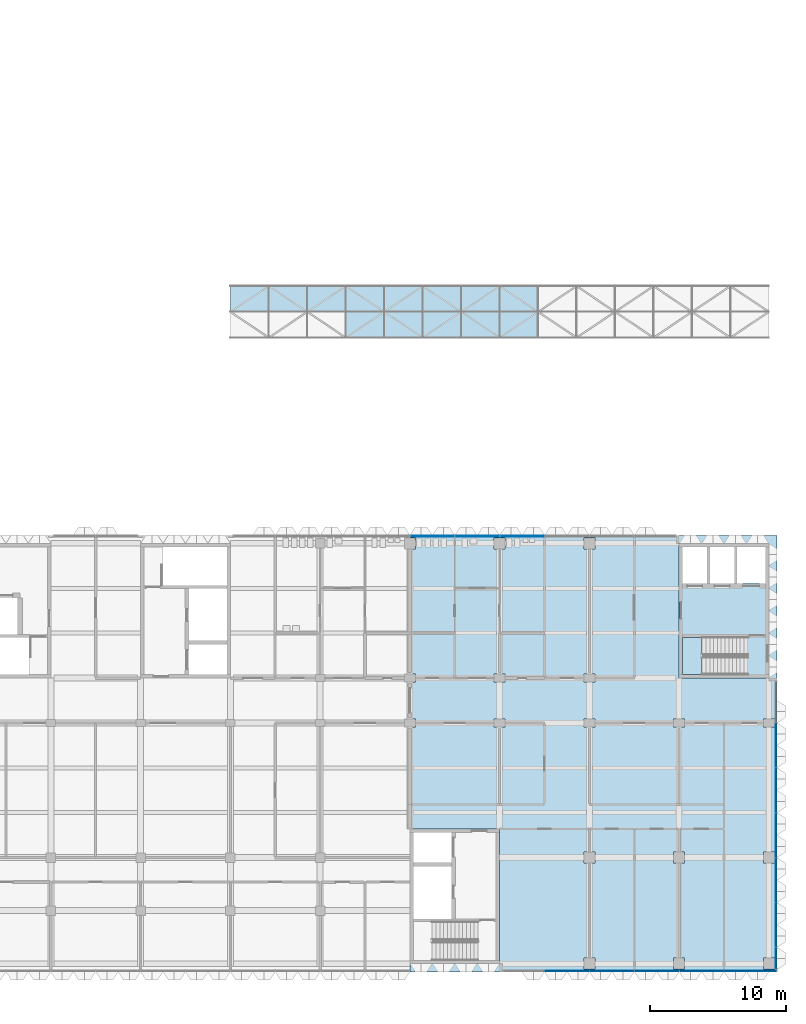
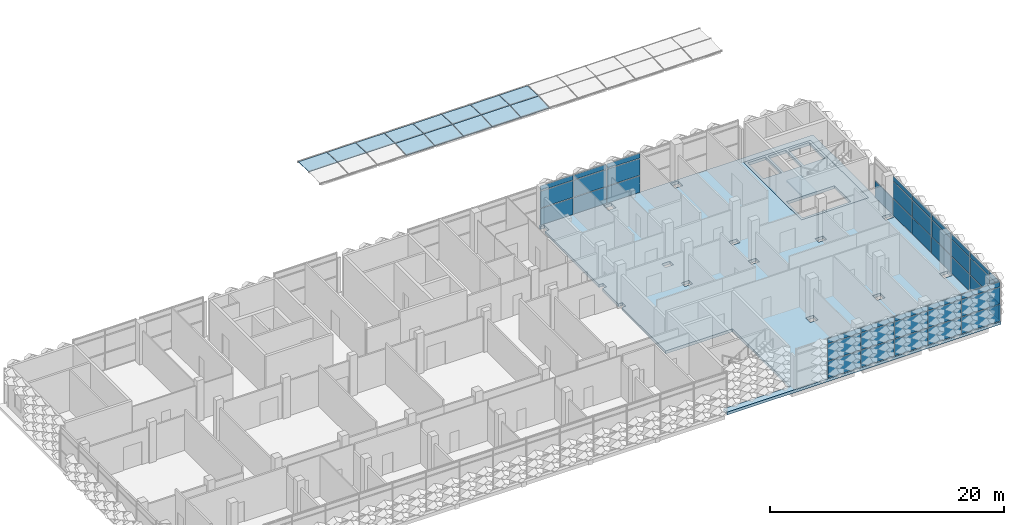
# One storey, part 16 of 61: 56 plates, 3 slabs, 4 elements without a shape of their own.
"""IFC4 building model written with IfcOpenShell, lengths in metres."""

from ifc_helpers import new_model, si_unit, direction, frame, origin, origin_2d, place, context, subcontext, project, spatial, polyline, rectangle, outline, extrude, material, layer, layer_set, type_object, element, aggregate, save


model = new_model("IFC4")

# Units and contexts
model_context = context("Model", 3, precision=1e-05, world=origin(), true_north=direction((0.0, 1.0)))
body_context = subcontext(model_context, "Body", "Model", "MODEL_VIEW")
ifc_project = project(units=[si_unit("LENGTHUNIT", "METRE"), si_unit("AREAUNIT", "SQUARE_METRE"), si_unit("VOLUMEUNIT", "CUBIC_METRE"), si_unit("PLANEANGLEUNIT", "RADIAN"), si_unit("MASSUNIT", "GRAM", prefix="KILO")], contexts=[model_context])

# Site, building, storey
site_placement = place(None, origin())
site = spatial("IfcSite", under=ifc_project, at=site_placement, CompositionType="ELEMENT")
building_placement = place(site_placement, origin())
building = spatial("IfcBuilding", under=site, at=building_placement, Name="Lantern Court Research Institute", CompositionType="ELEMENT")
storey_placement = place(building_placement, frame((0.0, 0.0, 23.39990234375)))
storey = spatial("IfcBuildingStorey", under=building, at=storey_placement, Name="L05", CompositionType="ELEMENT", Elevation=23.39990234375)

# Plates
ifc_material_1 = material(Name="Laminated low-emissivity glass", Category="glass")
ifc_layer_1 = layer(ifc_material_1, 0.035888671875)
ifc_layer_set_1 = layer_set([ifc_layer_1], Name="Laminated low-emissivity glass")
plate_type_1 = type_object("IfcPlateType", Name="Gridshell roof glazing panel 36", PredefinedType="SHEET", material=ifc_layer_set_1)
plate_1_placement = place(storey_placement, frame((42.41845703125, 40.13671875, 0.235595703125), z_axis=(0.0, 0.050319241088, 0.998733184578), x_axis=(-1.0, 0.0, 0.0)))
element("IfcPlate", 1, at=plate_1_placement, inside=storey, type_object=plate_type_1, Name="Roof glazing panel", PredefinedType="SHEET", context=body_context, shape_type="SweptSolid", body=[
    extrude(outline(polyline([(0.0, 0.0), (2.808349609375, 0.0), (2.808349609375, -1.8825117480404108), (0.0, -1.8825117480404108), (0.0, 0.0)])), origin(), (0.0, 0.0, -1.0), 0.035888671875),
])
for number, where, z_axis, x_axis, name in (
    (2, (45.2470703125, 40.13671875, 0.235595703125), (0.0, 0.050319241088, 0.998733184578), (-1.0, 0.0, 0.0), "Roof glazing panel"),
    (3, (48.07568359375, 40.13671875, 0.235595703125), (0.0, 0.050319241088, 0.998733184578), (-1.0, 0.0, 0.0), "Roof glazing panel"),
    (4, (50.904296875, 38.233154296875, 0.140869140625), (0.0, -0.050319241088, 0.998733184578), (-1.0, 0.0, 0.0), "Roof glazing panel"),
    (5, (50.904296875, 40.13671875, 0.235595703125), (0.0, 0.050319241088, 0.998733184578), (-1.0, 0.0, 0.0), "Roof glazing panel"),
    (6, (53.73291015625, 38.233154296875, 0.140869140625), (0.0, -0.050319241088, 0.998733184578), (-1.0, 0.0, 0.0), "Roof glazing panel"),
    (7, (53.73291015625, 40.13671875, 0.235595703125), (0.0, 0.050319241088, 0.998733184578), (-1.0, 0.0, 0.0), "Roof glazing panel"),
    (8, (56.5615234375, 38.233154296875, 0.140869140625), (0.0, -0.050319241088, 0.998733184578), (-1.0, 0.0, 0.0), "Roof glazing panel"),
    (9, (56.5615234375, 40.13671875, 0.235595703125), (0.0, 0.050319241088, 0.998733184578), (-1.0, 0.0, 0.0), "Roof glazing panel"),
):
    element("IfcPlate", number, at=place(storey_placement, frame(where, z_axis=z_axis, x_axis=x_axis)), inside=storey, type_object=plate_type_1, Name=name, PredefinedType="SHEET", context=body_context, shape_type="SweptSolid", body=[
        extrude(outline(polyline([(0.0, 0.0), (2.80859375, 0.0), (2.80859375, -1.8825117480404105), (0.0, -1.8825117480404105), (0.0, 0.0)])), origin(), (0.0, 0.0, -1.0), 0.035888671875),
    ])
for number, where, z_axis, x_axis, name in (
    (10, (59.389892578125, 38.233154296875, 0.140869140625), (0.0, -0.050319241088, 0.998733184578), (-1.0, 0.0, 0.0), "Roof glazing panel"),
    (11, (59.389892578125, 40.13671875, 0.235595703125), (0.0, 0.050319241088, 0.998733184578), (-1.0, 0.0, 0.0), "Roof glazing panel"),
):
    element("IfcPlate", number, at=place(storey_placement, frame(where, z_axis=z_axis, x_axis=x_axis)), inside=storey, type_object=plate_type_1, Name=name, PredefinedType="SHEET", context=body_context, shape_type="SweptSolid", body=[
        extrude(outline(polyline([(0.0, 0.0), (2.808349609375, 0.0), (2.808349609375, -1.8825117480404108), (0.0, -1.8825117480404108), (0.0, 0.0)])), origin(), (0.0, 0.0, -1.0), 0.035888671875),
    ])
for number, where, z_axis, x_axis, name in (
    (12, (62.218505859375, 38.233154296875, 0.140869140625), (0.0, -0.050319241088, 0.998733184578), (-1.0, 0.0, 0.0), "Roof glazing panel"),
    (13, (62.218505859375, 40.13671875, 0.235595703125), (0.0, 0.050319241088, 0.998733184578), (-1.0, 0.0, 0.0), "Roof glazing panel"),
):
    element("IfcPlate", number, at=place(storey_placement, frame(where, z_axis=z_axis, x_axis=x_axis)), inside=storey, type_object=plate_type_1, Name=name, PredefinedType="SHEET", context=body_context, shape_type="SweptSolid", body=[
        extrude(outline(polyline([(0.0, 0.0), (2.80859375, 0.0), (2.80859375, -1.8825117480404105), (0.0, -1.8825117480404105), (0.0, 0.0)])), origin(), (0.0, 0.0, -1.0), 0.035888671875),
    ])

# Curtain wall, plates
ifc_material_2 = material(Name="Aluminium alloy 6063-T6", Category="aluminium")
curtain_wall_type_1 = type_object("IfcCurtainWallType", Name="Curtain wall 20200 x 4200 x 150 aluminium frame", PredefinedType="NOTDEFINED", material=ifc_material_2)
curtain_wall_1_placement = place(storey_placement, origin())
curtain_wall_1 = element("IfcCurtainWall", 14, at=curtain_wall_1_placement, inside=storey, type_object=curtain_wall_type_1, Name="Curtain wall CW076", PredefinedType="NOTDEFINED")
ifc_material_3 = material(Name="Insulated aluminium spandrel panel", Category="aluminium")
ifc_layer_2 = layer(ifc_material_3, 0.10009765625)
ifc_layer_set_2 = layer_set([ifc_layer_2], Name="Insulated aluminium spandrel panel")
plate_type_2 = type_object("IfcPlateType", Name="Insulated spandrel panel 100 mm for south sun", PredefinedType="CURTAIN_PANEL", material=ifc_layer_set_2)
plate_2_placement = place(storey_placement, frame((64.35009765625, -8.324951171875, 0.06005859375), z_axis=(0.0, 0.0, 1.0), x_axis=(-1.0, 0.0, 0.0)))
plate_2 = element("IfcPlate", 15, at=plate_2_placement, type_object=plate_type_2, Name="CW076 spandrel panel 2.1", PredefinedType="CURTAIN_PANEL", context=body_context, shape_type="SweptSolid", body=[
    extrude(rectangle(XDim=3.239990234375, YDim=0.10009765625, at=origin_2d()), origin(), (0.0, 0.0, 1.0), 1.7099609375),
])
plate_3_placement = place(storey_placement, frame((67.64990234375, -8.324951171875, 0.06005859375), z_axis=(0.0, 0.0, 1.0), x_axis=(-1.0, 0.0, 0.0)))
plate_3 = element("IfcPlate", 16, at=plate_3_placement, type_object=plate_type_2, Name="CW076 spandrel panel 3.1", PredefinedType="CURTAIN_PANEL", context=body_context, shape_type="SweptSolid", body=[
    extrude(rectangle(XDim=3.239990234375, YDim=0.10009765625, at=origin_2d()), origin(), (0.0, 0.0, 1.0), 1.7099609375),
])
plate_4_placement = place(storey_placement, frame((70.949951171875, -8.324951171875, 0.06005859375), z_axis=(0.0, 0.0, 1.0), x_axis=(-1.0, 0.0, 0.0)))
plate_4 = element("IfcPlate", 17, at=plate_4_placement, type_object=plate_type_2, Name="CW076 spandrel panel 4.1", PredefinedType="CURTAIN_PANEL", context=body_context, shape_type="SweptSolid", body=[
    extrude(rectangle(XDim=3.239990234375, YDim=0.10009765625, at=origin_2d()), origin(), (0.0, 0.0, 1.0), 1.7099609375),
])
plate_5_placement = place(storey_placement, frame((74.25, -8.324951171875, 0.06005859375), z_axis=(0.0, 0.0, 1.0), x_axis=(-1.0, 0.0, 0.0)))
plate_5 = element("IfcPlate", 18, at=plate_5_placement, type_object=plate_type_2, Name="CW076 spandrel panel 5.1", PredefinedType="CURTAIN_PANEL", context=body_context, shape_type="SweptSolid", body=[
    extrude(rectangle(XDim=3.239990234375, YDim=0.10009765625, at=origin_2d()), origin(), (0.0, 0.0, 1.0), 1.7099609375),
])
plate_6_placement = place(storey_placement, frame((77.8349609375, -8.324951171875, 0.06005859375), z_axis=(0.0, 0.0, 1.0), x_axis=(-1.0, 0.0, 0.0)))
plate_6 = element("IfcPlate", 19, at=plate_6_placement, type_object=plate_type_2, Name="CW076 spandrel panel 6.1", PredefinedType="CURTAIN_PANEL", context=body_context, shape_type="SweptSolid", body=[
    extrude(rectangle(XDim=3.81005859375, YDim=0.10009765625, at=origin_2d()), origin(), (0.0, 0.0, 1.0), 1.7099609375),
])

ifc_material_4 = material(Name="Aluminium alloy 6063-T6", Category="aluminium")
curtain_wall_type_2 = type_object("IfcCurtainWallType", Name="Curtain wall 19600 x 4200 x 150 aluminium frame", PredefinedType="NOTDEFINED", material=ifc_material_4)
curtain_wall_2_placement = place(storey_placement, origin())
curtain_wall_2 = element("IfcCurtainWall", 20, at=curtain_wall_2_placement, inside=storey, type_object=curtain_wall_type_2, Name="Curtain wall CW075", PredefinedType="NOTDEFINED")
ifc_material_5 = material(Name="Insulated aluminium spandrel panel", Category="aluminium")
ifc_layer_3 = layer(ifc_material_5, 0.06005859375)
ifc_layer_set_3 = layer_set([ifc_layer_3], Name="Insulated aluminium spandrel panel")
plate_type_3 = type_object("IfcPlateType", Name="Insulated spandrel panel 60 mm", PredefinedType="CURTAIN_PANEL", material=ifc_layer_set_3)
plate_7_placement = place(storey_placement, frame((54.465087890625, 23.625, 0.06005859375), z_axis=(0.0, 0.0, 1.0), x_axis=(1.0, 0.0, 0.0)))
plate_7 = element("IfcPlate", 21, at=plate_7_placement, type_object=plate_type_3, Name="CW075 spandrel panel 1.1", PredefinedType="CURTAIN_PANEL", context=body_context, shape_type="SweptSolid", body=[
    extrude(rectangle(XDim=3.2099609375, YDim=0.06005859375, at=origin_2d()), origin(), (0.0, 0.0, 1.0), 1.7099609375),
])
plate_8_placement = place(storey_placement, frame((57.75, 23.625, 0.06005859375), z_axis=(0.0, 0.0, 1.0), x_axis=(1.0, 0.0, 0.0)))
plate_8 = element("IfcPlate", 22, at=plate_8_placement, type_object=plate_type_3, Name="CW075 spandrel panel 2.1", PredefinedType="CURTAIN_PANEL", context=body_context, shape_type="SweptSolid", body=[
    extrude(rectangle(XDim=3.239990234375, YDim=0.06005859375, at=origin_2d()), origin(), (0.0, 0.0, 1.0), 1.7099609375),
])
plate_9_placement = place(storey_placement, frame((61.050048828125, 23.625, 0.06005859375), z_axis=(0.0, 0.0, 1.0), x_axis=(1.0, 0.0, 0.0)))
plate_9 = element("IfcPlate", 23, at=plate_9_placement, type_object=plate_type_3, Name="CW075 spandrel panel 3.1", PredefinedType="CURTAIN_PANEL", context=body_context, shape_type="SweptSolid", body=[
    extrude(rectangle(XDim=3.239990234375, YDim=0.06005859375, at=origin_2d()), origin(), (0.0, 0.0, 1.0), 1.7099609375),
])

ifc_material_6 = material(Name="Aluminium alloy 6063-T6", Category="aluminium")
curtain_wall_type_3 = type_object("IfcCurtainWallType", Name="Curtain wall 21250 x 4200 x 150 aluminium frame", PredefinedType="NOTDEFINED", material=ifc_material_6)
curtain_wall_3_placement = place(storey_placement, origin())
curtain_wall_3 = element("IfcCurtainWall", 24, at=curtain_wall_3_placement, inside=storey, type_object=curtain_wall_type_3, Name="Curtain wall CW074", PredefinedType="NOTDEFINED")
ifc_material_7 = material(Name="Insulated aluminium spandrel panel", Category="aluminium")
ifc_layer_4 = layer(ifc_material_7, 0.080078125)
ifc_layer_set_4 = layer_set([ifc_layer_4], Name="Insulated aluminium spandrel panel")
plate_type_4 = type_object("IfcPlateType", Name="Insulated spandrel panel 80 mm", PredefinedType="CURTAIN_PANEL", material=ifc_layer_set_4)
plate_10_placement = place(storey_placement, frame((79.72509765625, -7.409912109375, 0.06005859375), z_axis=(0.0, 0.0, 1.0), x_axis=(0.0, -1.0, 0.0)))
plate_10 = element("IfcPlate", 25, at=plate_10_placement, type_object=plate_type_4, Name="CW074 spandrel panel 1.1", PredefinedType="CURTAIN_PANEL", context=body_context, shape_type="SweptSolid", body=[
    extrude(rectangle(XDim=1.56005859375, YDim=0.080078125, at=origin_2d()), origin(), (0.0, 0.0, 1.0), 1.7099609375),
])
plate_11_placement = place(storey_placement, frame((79.72509765625, -4.949951171875, 0.06005859375), z_axis=(0.0, 0.0, 1.0), x_axis=(0.0, -1.0, 0.0)))
plate_11 = element("IfcPlate", 26, at=plate_11_placement, type_object=plate_type_4, Name="CW074 spandrel panel 2.1", PredefinedType="CURTAIN_PANEL", context=body_context, shape_type="SweptSolid", body=[
    extrude(rectangle(XDim=3.239990234375, YDim=0.080078125, at=origin_2d()), origin(), (0.0, 0.0, 1.0), 1.7099609375),
])
plate_12_placement = place(storey_placement, frame((79.72509765625, -1.64990234375, 0.06005859375), z_axis=(0.0, 0.0, 1.0), x_axis=(0.0, -1.0, 0.0)))
plate_12 = element("IfcPlate", 27, at=plate_12_placement, type_object=plate_type_4, Name="CW074 spandrel panel 3.1", PredefinedType="CURTAIN_PANEL", context=body_context, shape_type="SweptSolid", body=[
    extrude(rectangle(XDim=3.239990234375, YDim=0.080078125, at=origin_2d()), origin(), (0.0, 0.0, 1.0), 1.7099609375),
])
plate_13_placement = place(storey_placement, frame((79.72509765625, 1.64990234375, 0.06005859375), z_axis=(0.0, 0.0, 1.0), x_axis=(0.0, -1.0, 0.0)))
plate_13 = element("IfcPlate", 28, at=plate_13_placement, type_object=plate_type_4, Name="CW074 spandrel panel 4.1", PredefinedType="CURTAIN_PANEL", context=body_context, shape_type="SweptSolid", body=[
    extrude(rectangle(XDim=3.239990234375, YDim=0.080078125, at=origin_2d()), origin(), (0.0, 0.0, 1.0), 1.7099609375),
])
plate_14_placement = place(storey_placement, frame((79.72509765625, 4.949951171875, 0.06005859375), z_axis=(0.0, 0.0, 1.0), x_axis=(0.0, -1.0, 0.0)))
plate_14 = element("IfcPlate", 29, at=plate_14_placement, type_object=plate_type_4, Name="CW074 spandrel panel 5.1", PredefinedType="CURTAIN_PANEL", context=body_context, shape_type="SweptSolid", body=[
    extrude(rectangle(XDim=3.239990234375, YDim=0.080078125, at=origin_2d()), origin(), (0.0, 0.0, 1.0), 1.7099609375),
])
plate_15_placement = place(storey_placement, frame((79.72509765625, 8.25, 0.06005859375), z_axis=(0.0, 0.0, 1.0), x_axis=(0.0, -1.0, 0.0)))
plate_15 = element("IfcPlate", 30, at=plate_15_placement, type_object=plate_type_4, Name="CW074 spandrel panel 6.1", PredefinedType="CURTAIN_PANEL", context=body_context, shape_type="SweptSolid", body=[
    extrude(rectangle(XDim=3.239990234375, YDim=0.080078125, at=origin_2d()), origin(), (0.0, 0.0, 1.0), 1.7099609375),
])
plate_16_placement = place(storey_placement, frame((79.72509765625, 11.43505859375, 0.06005859375), z_axis=(0.0, 0.0, 1.0), x_axis=(0.0, -1.0, 0.0)))
plate_16 = element("IfcPlate", 31, at=plate_16_placement, type_object=plate_type_4, Name="CW074 spandrel panel 7.1", PredefinedType="CURTAIN_PANEL", context=body_context, shape_type="SweptSolid", body=[
    extrude(rectangle(XDim=3.010009765625, YDim=0.080078125, at=origin_2d()), origin(), (0.0, 0.0, 1.0), 1.7099609375),
])

# Plate
ifc_material_8 = material(Name="Laminated low-emissivity glass", Category="glass")
ifc_layer_5 = layer(ifc_material_8, 0.028076171875)
ifc_layer_set_5 = layer_set([ifc_layer_5], Name="Laminated low-emissivity glass")
plate_type_5 = type_object("IfcPlateType", Name="Laminated low-emissivity unit 28 mm", PredefinedType="CURTAIN_PANEL", material=ifc_layer_set_5)
plate_17_placement = place(storey_placement, frame((54.465087890625, 23.625, 1.830078125), z_axis=(0.0, 0.0, 1.0), x_axis=(1.0, 0.0, 0.0)))
plate_17 = element("IfcPlate", 32, at=plate_17_placement, type_object=plate_type_5, Name="CW075 glazed panel 1.2", PredefinedType="CURTAIN_PANEL", context=body_context, shape_type="SweptSolid", body=[
    extrude(rectangle(XDim=3.2099609375, YDim=0.028076171875, at=origin_2d()), origin(), (0.0, 0.0, 1.0), 1.739990234375),
])

plate_18_placement = place(storey_placement, frame((54.465087890625, 23.625, 3.6298828125), z_axis=(0.0, 0.0, 1.0), x_axis=(1.0, 0.0, 0.0)))
plate_18 = element("IfcPlate", 33, at=plate_18_placement, type_object=plate_type_5, Name="CW075 glazed panel 1.3", PredefinedType="CURTAIN_PANEL", context=body_context, shape_type="SweptSolid", body=[
    extrude(rectangle(XDim=3.2099609375, YDim=0.028076171875, at=origin_2d()), origin(), (0.0, 0.0, 1.0), 0.510009765625),
])

plate_19_placement = place(storey_placement, frame((57.75, 23.625, 1.830078125), z_axis=(0.0, 0.0, 1.0), x_axis=(1.0, 0.0, 0.0)))
plate_19 = element("IfcPlate", 34, at=plate_19_placement, type_object=plate_type_5, Name="CW075 glazed panel 2.2", PredefinedType="CURTAIN_PANEL", context=body_context, shape_type="SweptSolid", body=[
    extrude(rectangle(XDim=3.239990234375, YDim=0.028076171875, at=origin_2d()), origin(), (0.0, 0.0, 1.0), 1.739990234375),
])

plate_20_placement = place(storey_placement, frame((57.75, 23.625, 3.6298828125), z_axis=(0.0, 0.0, 1.0), x_axis=(1.0, 0.0, 0.0)))
plate_20 = element("IfcPlate", 35, at=plate_20_placement, type_object=plate_type_5, Name="CW075 glazed panel 2.3", PredefinedType="CURTAIN_PANEL", context=body_context, shape_type="SweptSolid", body=[
    extrude(rectangle(XDim=3.239990234375, YDim=0.028076171875, at=origin_2d()), origin(), (0.0, 0.0, 1.0), 0.510009765625),
])

plate_21_placement = place(storey_placement, frame((61.050048828125, 23.625, 1.830078125), z_axis=(0.0, 0.0, 1.0), x_axis=(1.0, 0.0, 0.0)))
plate_21 = element("IfcPlate", 36, at=plate_21_placement, type_object=plate_type_5, Name="CW075 glazed panel 3.2", PredefinedType="CURTAIN_PANEL", context=body_context, shape_type="SweptSolid", body=[
    extrude(rectangle(XDim=3.239990234375, YDim=0.028076171875, at=origin_2d()), origin(), (0.0, 0.0, 1.0), 1.739990234375),
])

plate_22_placement = place(storey_placement, frame((61.050048828125, 23.625, 3.6298828125), z_axis=(0.0, 0.0, 1.0), x_axis=(1.0, 0.0, 0.0)))
plate_22 = element("IfcPlate", 37, at=plate_22_placement, type_object=plate_type_5, Name="CW075 glazed panel 3.3", PredefinedType="CURTAIN_PANEL", context=body_context, shape_type="SweptSolid", body=[
    extrude(rectangle(XDim=3.239990234375, YDim=0.028076171875, at=origin_2d()), origin(), (0.0, 0.0, 1.0), 0.510009765625),
])

aggregate(curtain_wall_2, [plate_7, plate_17, plate_18, plate_8, plate_19, plate_20, plate_9, plate_21, plate_22])

# Slabs
ifc_material_9 = material(Name="Concrete C35/45", Category="concrete")
ifc_layer_6 = layer(ifc_material_9, 0.300048828125)
ifc_layer_set_6 = layer_set([ifc_layer_6], Name="Concrete C35/45")
slab_type_1 = type_object("IfcSlabType", Name="RC core floor slab 300", PredefinedType="FLOOR", material=ifc_layer_set_6)
slab_1_placement = place(storey_placement, frame((0.0, 0.0, -0.2998046875)))
element("IfcSlab", 38, at=slab_1_placement, inside=storey, type_object=slab_type_1, Name="Floor of core TC-E", PredefinedType="FLOOR", context=body_context, shape_type="SweptSolid", body=[
    extrude(outline(polyline([(72.60009765625, 13.199951171875), (79.199951171875, 13.199951171875), (79.199951171875, 23.10009765625), (72.60009765625, 23.10009765625), (72.60009765625, 13.199951171875)]), holes=[polyline([(77.60009765625, 16.199951171875), (72.85009765625, 16.199951171875), (72.85009765625, 13.449951171875), (77.60009765625, 13.449951171875), (77.60009765625, 16.199951171875)]), polyline([(72.85009765625, 20.14990234375), (74.64990234375, 20.14990234375), (74.64990234375, 22.85009765625), (72.85009765625, 22.85009765625), (72.85009765625, 20.14990234375)]), polyline([(74.85009765625, 20.14990234375), (76.64990234375, 20.14990234375), (76.64990234375, 22.85009765625), (74.85009765625, 22.85009765625), (74.85009765625, 20.14990234375)]), polyline([(76.85009765625, 20.14990234375), (78.949951171875, 20.14990234375), (78.949951171875, 22.85009765625), (76.85009765625, 22.85009765625), (76.85009765625, 20.14990234375)])]), origin(), (0.0, 0.0, 1.0), 0.2998046875),
])
ifc_material_10 = material(Name="Concrete C35/45", Category="concrete")
ifc_layer_7 = layer(ifc_material_10, 0.300048828125)
ifc_layer_set_7 = layer_set([ifc_layer_7], Name="Concrete C35/45")
slab_type_2 = type_object("IfcSlabType", Name="RC floor slab 300", PredefinedType="FLOOR", material=ifc_layer_set_7)
slab_2_placement = place(storey_placement, frame((0.0, 0.0, -0.2998046875)))
element("IfcSlab", 39, at=slab_2_placement, inside=storey, type_object=slab_type_2, Name="Floor slab L05 Dry Laboratory and Clean Room Tower", PredefinedType="FLOOR", context=body_context, shape_type="SweptSolid", body=[
    extrude(outline(polyline([(59.39990234375, -7.800048828125), (52.800048828125, -7.800048828125), (52.800048828125, -8.39990234375), (79.800048828125, -8.39990234375), (79.800048828125, -7.800048828125), (79.800048828125, 23.10009765625), (79.800048828125, 23.699951171875), (52.800048828125, 23.699951171875), (52.800048828125, 23.5), (53.199951171875, 23.5), (53.199951171875, 22.699951171875), (52.800048828125, 22.699951171875), (52.800048828125, 13.5), (53.199951171875, 13.5), (53.199951171875, 12.89990234375), (52.800048828125, 12.89990234375), (52.800048828125, 10.199951171875), (53.199951171875, 10.199951171875), (53.199951171875, 9.60009765625), (52.800048828125, 9.60009765625), (52.800048828125, 2.10009765625), (59.39990234375, 2.10009765625), (59.39990234375, -7.800048828125)]), holes=[polyline([(65.60009765625, -7.39990234375), (66.39990234375, -7.39990234375), (66.39990234375, -8.199951171875), (65.60009765625, -8.199951171875), (65.60009765625, -7.39990234375)]), polyline([(59.800048828125, 10.199951171875), (59.800048828125, 9.60009765625), (59.0, 9.60009765625), (59.0, 10.199951171875), (59.800048828125, 10.199951171875)]), polyline([(59.0, 13.5), (59.800048828125, 13.5), (59.800048828125, 12.89990234375), (59.0, 12.89990234375), (59.0, 13.5)]), polyline([(59.800048828125, 23.5), (59.800048828125, 22.699951171875), (59.0, 22.699951171875), (59.0, 23.5), (59.800048828125, 23.5)]), polyline([(72.199951171875, -7.39990234375), (73.0, -7.39990234375), (73.0, -8.199951171875), (72.199951171875, -8.199951171875), (72.199951171875, -7.39990234375)]), polyline([(78.800048828125, -7.39990234375), (79.60009765625, -7.39990234375), (79.60009765625, -8.199951171875), (78.800048828125, -8.199951171875), (78.800048828125, -7.39990234375)]), polyline([(65.60009765625, 0.39990234375), (66.39990234375, 0.39990234375), (66.39990234375, -0.39990234375), (65.60009765625, -0.39990234375), (65.60009765625, 0.39990234375)]), polyline([(73.0, 0.39990234375), (73.0, -0.39990234375), (72.199951171875, -0.39990234375), (72.199951171875, 0.39990234375), (73.0, 0.39990234375)]), polyline([(79.60009765625, 0.39990234375), (79.60009765625, -0.39990234375), (78.800048828125, -0.39990234375), (78.800048828125, 0.39990234375), (79.60009765625, 0.39990234375)]), polyline([(65.60009765625, 10.199951171875), (66.39990234375, 10.199951171875), (66.39990234375, 9.60009765625), (65.60009765625, 9.60009765625), (65.60009765625, 10.199951171875)]), polyline([(73.0, 10.199951171875), (73.0, 9.60009765625), (72.199951171875, 9.60009765625), (72.199951171875, 10.199951171875), (73.0, 10.199951171875)]), polyline([(79.60009765625, 10.199951171875), (79.60009765625, 9.60009765625), (78.800048828125, 9.60009765625), (78.800048828125, 10.199951171875), (79.60009765625, 10.199951171875)]), polyline([(65.60009765625, 13.5), (66.39990234375, 13.5), (66.39990234375, 12.89990234375), (65.60009765625, 12.89990234375), (65.60009765625, 13.5)]), polyline([(79.199951171875, 23.10009765625), (79.199951171875, 13.199951171875), (72.60009765625, 13.199951171875), (72.60009765625, 23.10009765625), (79.199951171875, 23.10009765625)]), polyline([(66.39990234375, 23.5), (66.39990234375, 22.699951171875), (65.60009765625, 22.699951171875), (65.60009765625, 23.5), (66.39990234375, 23.5)])]), origin(), (0.0, 0.0, 1.0), 0.2998046875),
])

# Stair, slab
ifc_material_11 = material(Name="Concrete C40/50", Category="concrete")
stair_type = type_object("IfcStairType", Name="RC half-turn stair 1300 wide, 4500 rise, 6100 shaft", PredefinedType="HALF_TURN_STAIR", material=ifc_material_11)
stair_placement = place(storey_placement, origin())
stair = element("IfcStair", 40, at=stair_placement, inside=storey, type_object=stair_type, Name="L05 stair ST-T2", PredefinedType="HALF_TURN_STAIR")
ifc_material_12 = material(Name="Concrete C40/50", Category="concrete")
ifc_layer_8 = layer(ifc_material_12, 0.199951171875)
ifc_layer_set_8 = layer_set([ifc_layer_8], Name="Concrete C40/50")
slab_type_3 = type_object("IfcSlabType", Name="RC stair landing 200", PredefinedType="LANDING", material=ifc_layer_set_8)
slab_3_placement = place(storey_placement, frame((0.0, 0.0, 2.050048828125)))
slab_3 = element("IfcSlab", 41, at=slab_3_placement, type_object=slab_type_3, Name="ST-T2 landing 1", PredefinedType="LANDING", context=body_context, shape_type="SweptSolid", body=[
    extrude(outline(polyline([(74.2900390625, 16.199951171875), (72.85009765625, 16.199951171875), (72.85009765625, 13.449951171875), (74.2900390625, 13.449951171875), (74.2900390625, 16.199951171875)])), origin(), (0.0, 0.0, 1.0), 0.199951171875),
])
aggregate(stair, [slab_3])

# Plate
ifc_material_13 = material(Name="Laminated low-emissivity glass", Category="glass")
ifc_layer_9 = layer(ifc_material_13, 0.035888671875)
ifc_layer_set_9 = layer_set([ifc_layer_9], Name="Laminated low-emissivity glass")
plate_type_6 = type_object("IfcPlateType", Name="Solar control laminated unit 36 mm", PredefinedType="CURTAIN_PANEL", material=ifc_layer_set_9)
plate_23_placement = place(storey_placement, frame((79.72509765625, -7.409912109375, 1.830078125), z_axis=(0.0, 0.0, 1.0), x_axis=(0.0, -1.0, 0.0)))
plate_23 = element("IfcPlate", 42, at=plate_23_placement, type_object=plate_type_6, Name="CW074 glazed panel 1.2", PredefinedType="CURTAIN_PANEL", context=body_context, shape_type="SweptSolid", body=[
    extrude(rectangle(XDim=1.56005859375, YDim=0.035888671875, at=origin_2d()), origin(), (0.0, 0.0, 1.0), 1.739990234375),
])

plate_24_placement = place(storey_placement, frame((79.72509765625, -7.409912109375, 3.6298828125), z_axis=(0.0, 0.0, 1.0), x_axis=(0.0, -1.0, 0.0)))
plate_24 = element("IfcPlate", 43, at=plate_24_placement, type_object=plate_type_6, Name="CW074 glazed panel 1.3", PredefinedType="CURTAIN_PANEL", context=body_context, shape_type="SweptSolid", body=[
    extrude(rectangle(XDim=1.56005859375, YDim=0.035888671875, at=origin_2d()), origin(), (0.0, 0.0, 1.0), 0.510009765625),
])

plate_25_placement = place(storey_placement, frame((79.72509765625, -4.949951171875, 1.830078125), z_axis=(0.0, 0.0, 1.0), x_axis=(0.0, -1.0, 0.0)))
plate_25 = element("IfcPlate", 44, at=plate_25_placement, type_object=plate_type_6, Name="CW074 glazed panel 2.2", PredefinedType="CURTAIN_PANEL", context=body_context, shape_type="SweptSolid", body=[
    extrude(rectangle(XDim=3.239990234375, YDim=0.035888671875, at=origin_2d()), origin(), (0.0, 0.0, 1.0), 1.739990234375),
])

plate_26_placement = place(storey_placement, frame((79.72509765625, -4.949951171875, 3.6298828125), z_axis=(0.0, 0.0, 1.0), x_axis=(0.0, -1.0, 0.0)))
plate_26 = element("IfcPlate", 45, at=plate_26_placement, type_object=plate_type_6, Name="CW074 glazed panel 2.3", PredefinedType="CURTAIN_PANEL", context=body_context, shape_type="SweptSolid", body=[
    extrude(rectangle(XDim=3.239990234375, YDim=0.035888671875, at=origin_2d()), origin(), (0.0, 0.0, 1.0), 0.510009765625),
])

plate_27_placement = place(storey_placement, frame((79.72509765625, -1.64990234375, 1.830078125), z_axis=(0.0, 0.0, 1.0), x_axis=(0.0, -1.0, 0.0)))
plate_27 = element("IfcPlate", 46, at=plate_27_placement, type_object=plate_type_6, Name="CW074 glazed panel 3.2", PredefinedType="CURTAIN_PANEL", context=body_context, shape_type="SweptSolid", body=[
    extrude(rectangle(XDim=3.239990234375, YDim=0.035888671875, at=origin_2d()), origin(), (0.0, 0.0, 1.0), 1.739990234375),
])

plate_28_placement = place(storey_placement, frame((79.72509765625, -1.64990234375, 3.6298828125), z_axis=(0.0, 0.0, 1.0), x_axis=(0.0, -1.0, 0.0)))
plate_28 = element("IfcPlate", 47, at=plate_28_placement, type_object=plate_type_6, Name="CW074 glazed panel 3.3", PredefinedType="CURTAIN_PANEL", context=body_context, shape_type="SweptSolid", body=[
    extrude(rectangle(XDim=3.239990234375, YDim=0.035888671875, at=origin_2d()), origin(), (0.0, 0.0, 1.0), 0.510009765625),
])

plate_29_placement = place(storey_placement, frame((79.72509765625, 1.64990234375, 1.830078125), z_axis=(0.0, 0.0, 1.0), x_axis=(0.0, -1.0, 0.0)))
plate_29 = element("IfcPlate", 48, at=plate_29_placement, type_object=plate_type_6, Name="CW074 glazed panel 4.2", PredefinedType="CURTAIN_PANEL", context=body_context, shape_type="SweptSolid", body=[
    extrude(rectangle(XDim=3.239990234375, YDim=0.035888671875, at=origin_2d()), origin(), (0.0, 0.0, 1.0), 1.739990234375),
])

plate_30_placement = place(storey_placement, frame((79.72509765625, 1.64990234375, 3.6298828125), z_axis=(0.0, 0.0, 1.0), x_axis=(0.0, -1.0, 0.0)))
plate_30 = element("IfcPlate", 49, at=plate_30_placement, type_object=plate_type_6, Name="CW074 glazed panel 4.3", PredefinedType="CURTAIN_PANEL", context=body_context, shape_type="SweptSolid", body=[
    extrude(rectangle(XDim=3.239990234375, YDim=0.035888671875, at=origin_2d()), origin(), (0.0, 0.0, 1.0), 0.510009765625),
])

plate_31_placement = place(storey_placement, frame((79.72509765625, 4.949951171875, 1.830078125), z_axis=(0.0, 0.0, 1.0), x_axis=(0.0, -1.0, 0.0)))
plate_31 = element("IfcPlate", 50, at=plate_31_placement, type_object=plate_type_6, Name="CW074 glazed panel 5.2", PredefinedType="CURTAIN_PANEL", context=body_context, shape_type="SweptSolid", body=[
    extrude(rectangle(XDim=3.239990234375, YDim=0.035888671875, at=origin_2d()), origin(), (0.0, 0.0, 1.0), 1.739990234375),
])

plate_32_placement = place(storey_placement, frame((79.72509765625, 4.949951171875, 3.6298828125), z_axis=(0.0, 0.0, 1.0), x_axis=(0.0, -1.0, 0.0)))
plate_32 = element("IfcPlate", 51, at=plate_32_placement, type_object=plate_type_6, Name="CW074 glazed panel 5.3", PredefinedType="CURTAIN_PANEL", context=body_context, shape_type="SweptSolid", body=[
    extrude(rectangle(XDim=3.239990234375, YDim=0.035888671875, at=origin_2d()), origin(), (0.0, 0.0, 1.0), 0.510009765625),
])

plate_33_placement = place(storey_placement, frame((79.72509765625, 8.25, 1.830078125), z_axis=(0.0, 0.0, 1.0), x_axis=(0.0, -1.0, 0.0)))
plate_33 = element("IfcPlate", 52, at=plate_33_placement, type_object=plate_type_6, Name="CW074 glazed panel 6.2", PredefinedType="CURTAIN_PANEL", context=body_context, shape_type="SweptSolid", body=[
    extrude(rectangle(XDim=3.239990234375, YDim=0.035888671875, at=origin_2d()), origin(), (0.0, 0.0, 1.0), 1.739990234375),
])

plate_34_placement = place(storey_placement, frame((79.72509765625, 8.25, 3.6298828125), z_axis=(0.0, 0.0, 1.0), x_axis=(0.0, -1.0, 0.0)))
plate_34 = element("IfcPlate", 53, at=plate_34_placement, type_object=plate_type_6, Name="CW074 glazed panel 6.3", PredefinedType="CURTAIN_PANEL", context=body_context, shape_type="SweptSolid", body=[
    extrude(rectangle(XDim=3.239990234375, YDim=0.035888671875, at=origin_2d()), origin(), (0.0, 0.0, 1.0), 0.510009765625),
])

aggregate(curtain_wall_3, [plate_10, plate_23, plate_24, plate_11, plate_25, plate_26, plate_12, plate_27, plate_28, plate_13, plate_29, plate_30, plate_14, plate_31, plate_32, plate_15, plate_33, plate_34, plate_16])

plate_35_placement = place(storey_placement, frame((64.35009765625, -8.324951171875, 1.830078125), z_axis=(0.0, 0.0, 1.0), x_axis=(-1.0, 0.0, 0.0)))
plate_35 = element("IfcPlate", 54, at=plate_35_placement, type_object=plate_type_6, Name="CW076 glazed panel 2.2", PredefinedType="CURTAIN_PANEL", context=body_context, shape_type="SweptSolid", body=[
    extrude(rectangle(XDim=3.239990234375, YDim=0.035888671875, at=origin_2d()), origin(), (0.0, 0.0, 1.0), 1.739990234375),
])

plate_36_placement = place(storey_placement, frame((64.35009765625, -8.324951171875, 3.6298828125), z_axis=(0.0, 0.0, 1.0), x_axis=(-1.0, 0.0, 0.0)))
plate_36 = element("IfcPlate", 55, at=plate_36_placement, type_object=plate_type_6, Name="CW076 glazed panel 2.3", PredefinedType="CURTAIN_PANEL", context=body_context, shape_type="SweptSolid", body=[
    extrude(rectangle(XDim=3.239990234375, YDim=0.035888671875, at=origin_2d()), origin(), (0.0, 0.0, 1.0), 0.510009765625),
])

plate_37_placement = place(storey_placement, frame((67.64990234375, -8.324951171875, 1.830078125), z_axis=(0.0, 0.0, 1.0), x_axis=(-1.0, 0.0, 0.0)))
plate_37 = element("IfcPlate", 56, at=plate_37_placement, type_object=plate_type_6, Name="CW076 glazed panel 3.2", PredefinedType="CURTAIN_PANEL", context=body_context, shape_type="SweptSolid", body=[
    extrude(rectangle(XDim=3.239990234375, YDim=0.035888671875, at=origin_2d()), origin(), (0.0, 0.0, 1.0), 1.739990234375),
])

plate_38_placement = place(storey_placement, frame((67.64990234375, -8.324951171875, 3.6298828125), z_axis=(0.0, 0.0, 1.0), x_axis=(-1.0, 0.0, 0.0)))
plate_38 = element("IfcPlate", 57, at=plate_38_placement, type_object=plate_type_6, Name="CW076 glazed panel 3.3", PredefinedType="CURTAIN_PANEL", context=body_context, shape_type="SweptSolid", body=[
    extrude(rectangle(XDim=3.239990234375, YDim=0.035888671875, at=origin_2d()), origin(), (0.0, 0.0, 1.0), 0.510009765625),
])

plate_39_placement = place(storey_placement, frame((70.949951171875, -8.324951171875, 1.830078125), z_axis=(0.0, 0.0, 1.0), x_axis=(-1.0, 0.0, 0.0)))
plate_39 = element("IfcPlate", 58, at=plate_39_placement, type_object=plate_type_6, Name="CW076 glazed panel 4.2", PredefinedType="CURTAIN_PANEL", context=body_context, shape_type="SweptSolid", body=[
    extrude(rectangle(XDim=3.239990234375, YDim=0.035888671875, at=origin_2d()), origin(), (0.0, 0.0, 1.0), 1.739990234375),
])

plate_40_placement = place(storey_placement, frame((70.949951171875, -8.324951171875, 3.6298828125), z_axis=(0.0, 0.0, 1.0), x_axis=(-1.0, 0.0, 0.0)))
plate_40 = element("IfcPlate", 59, at=plate_40_placement, type_object=plate_type_6, Name="CW076 glazed panel 4.3", PredefinedType="CURTAIN_PANEL", context=body_context, shape_type="SweptSolid", body=[
    extrude(rectangle(XDim=3.239990234375, YDim=0.035888671875, at=origin_2d()), origin(), (0.0, 0.0, 1.0), 0.510009765625),
])

plate_41_placement = place(storey_placement, frame((74.25, -8.324951171875, 1.830078125), z_axis=(0.0, 0.0, 1.0), x_axis=(-1.0, 0.0, 0.0)))
plate_41 = element("IfcPlate", 60, at=plate_41_placement, type_object=plate_type_6, Name="CW076 glazed panel 5.2", PredefinedType="CURTAIN_PANEL", context=body_context, shape_type="SweptSolid", body=[
    extrude(rectangle(XDim=3.239990234375, YDim=0.035888671875, at=origin_2d()), origin(), (0.0, 0.0, 1.0), 1.739990234375),
])

plate_42_placement = place(storey_placement, frame((74.25, -8.324951171875, 3.6298828125), z_axis=(0.0, 0.0, 1.0), x_axis=(-1.0, 0.0, 0.0)))
plate_42 = element("IfcPlate", 61, at=plate_42_placement, type_object=plate_type_6, Name="CW076 glazed panel 5.3", PredefinedType="CURTAIN_PANEL", context=body_context, shape_type="SweptSolid", body=[
    extrude(rectangle(XDim=3.239990234375, YDim=0.035888671875, at=origin_2d()), origin(), (0.0, 0.0, 1.0), 0.510009765625),
])

plate_43_placement = place(storey_placement, frame((77.8349609375, -8.324951171875, 1.830078125), z_axis=(0.0, 0.0, 1.0), x_axis=(-1.0, 0.0, 0.0)))
plate_43 = element("IfcPlate", 62, at=plate_43_placement, type_object=plate_type_6, Name="CW076 glazed panel 6.2", PredefinedType="CURTAIN_PANEL", context=body_context, shape_type="SweptSolid", body=[
    extrude(rectangle(XDim=3.81005859375, YDim=0.035888671875, at=origin_2d()), origin(), (0.0, 0.0, 1.0), 1.739990234375),
])

plate_44_placement = place(storey_placement, frame((77.8349609375, -8.324951171875, 3.6298828125), z_axis=(0.0, 0.0, 1.0), x_axis=(-1.0, 0.0, 0.0)))
plate_44 = element("IfcPlate", 63, at=plate_44_placement, type_object=plate_type_6, Name="CW076 glazed panel 6.3", PredefinedType="CURTAIN_PANEL", context=body_context, shape_type="SweptSolid", body=[
    extrude(rectangle(XDim=3.81005859375, YDim=0.035888671875, at=origin_2d()), origin(), (0.0, 0.0, 1.0), 0.510009765625),
])

aggregate(curtain_wall_1, [plate_2, plate_35, plate_36, plate_3, plate_37, plate_38, plate_4, plate_39, plate_40, plate_5, plate_41, plate_42, plate_6, plate_43, plate_44])

save(model, "model.ifc")
